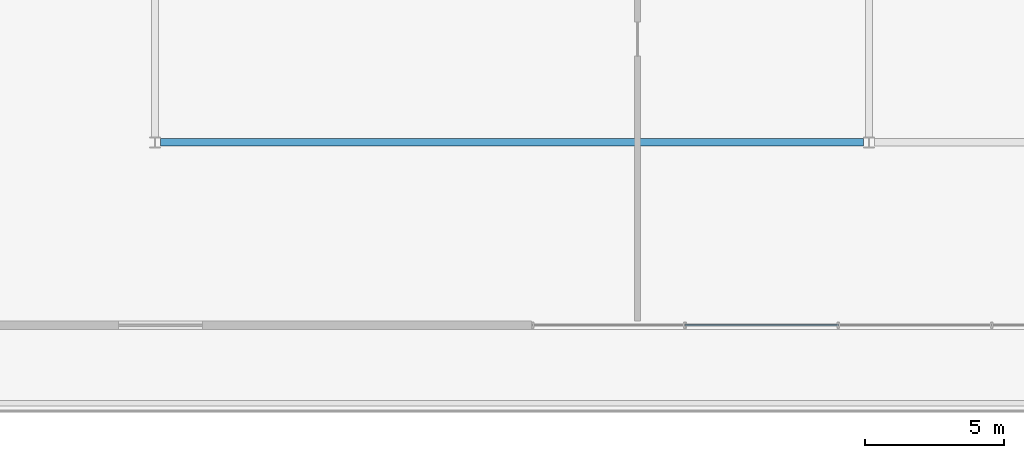
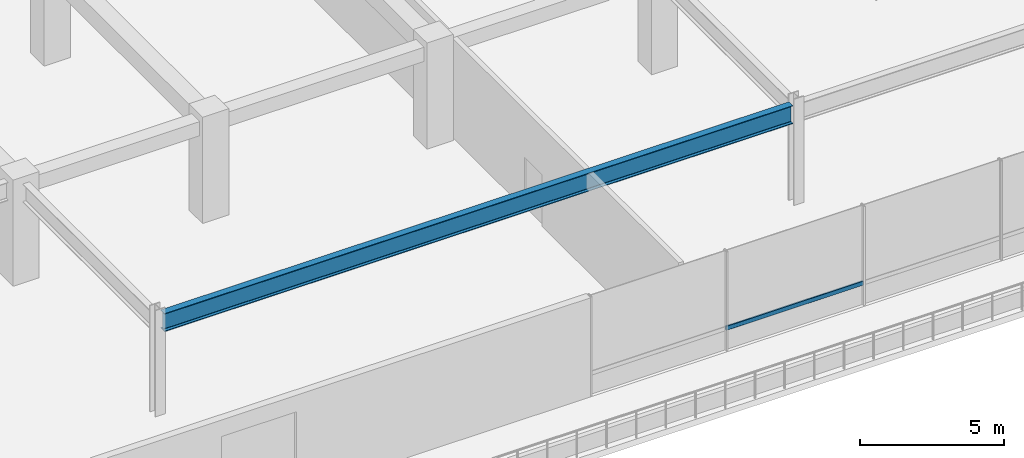
# One storey, part 8 of 43: 1 beam, 1 member, 1 element without a shape of its own.
"""IFC4 building model written with IfcOpenShell, lengths in metres."""

from ifc_helpers import new_model, si_unit, direction, frame, origin, origin_2d, place, context, subcontext, project, spatial, hollow_rectangle, i_section, extrude, material, layer, layer_set, material_profile, profile_set, type_object, element, aggregate, save


model = new_model("IFC4")

# Units and contexts
model_context = context("Model", 3, precision=1e-05, world=origin(), true_north=direction((0.0, 1.0)))
body_context = subcontext(model_context, "Body", "Model", "MODEL_VIEW")
ifc_project = project(units=[si_unit("LENGTHUNIT", "METRE"), si_unit("AREAUNIT", "SQUARE_METRE"), si_unit("VOLUMEUNIT", "CUBIC_METRE"), si_unit("PLANEANGLEUNIT", "RADIAN"), si_unit("MASSUNIT", "GRAM", prefix="KILO")], contexts=[model_context])

# Site, building, storey
site_placement = place(None, origin())
site = spatial("IfcSite", under=ifc_project, at=site_placement, CompositionType="ELEMENT")
building_placement = place(site_placement, origin())
building = spatial("IfcBuilding", under=site, at=building_placement, Name="Korimba Cascade Residences", CompositionType="ELEMENT")
storey_placement = place(building_placement, frame((0.0, 0.0, 10.0)))
storey = spatial("IfcBuildingStorey", under=building, at=storey_placement, Name="L02", CompositionType="ELEMENT", Elevation=10.0)

# Beam
ifc_material_1 = material(Name="Steel S355", Category="steel")
ifc_material_profile_1 = material_profile(ifc_material_1, i_section(OverallWidth=0.26806640625, OverallDepth=0.769775390625, WebThickness=0.015625, FlangeThickness=0.025390625, FilletRadius=0.0166015625, at=origin_2d()), Name="Steel S355")
ifc_profile_set_1 = profile_set([ifc_material_profile_1], Name="Steel S355")
beam_type = type_object("IfcBeamType", Name="BM-STL-UB762", PredefinedType="BEAM", material=ifc_profile_set_1)
beam_placement = place(storey_placement, frame((74.699462890625, -13.800048828125, 3.815185546875), z_axis=(1.0, 0.0, 0.0), x_axis=(0.0, 1.0, 0.0)))
element("IfcBeam", 1, at=beam_placement, inside=storey, type_object=beam_type, Name="L02 Podium Frame Girder SH1", PredefinedType="BEAM", context=body_context, shape_type="SweptSolid", body=[
    extrude(i_section(OverallWidth=0.26806640625, OverallDepth=0.769775390625, WebThickness=0.015625, FlangeThickness=0.025390625, FilletRadius=0.0166015625, at=origin_2d()), origin(), (0.0, 0.0, 1.0), 25.200927734375),
])

# Curtain wall, member
ifc_material_2 = material(Name="Anodised Aluminium Curtain Wall Framing", Category="aluminium")
ifc_layer = layer(ifc_material_2, 0.179931640625)
ifc_layer_set = layer_set([ifc_layer], Name="Anodised Aluminium Curtain Wall Framing")
curtain_wall_type = type_object("IfcCurtainWallType", Name="CW-POD-SYS1", PredefinedType="NOTDEFINED", material=ifc_layer_set)
curtain_wall_placement = place(storey_placement, origin())
curtain_wall = element("IfcCurtainWall", 2, at=curtain_wall_placement, inside=storey, type_object=curtain_wall_type, Name="L02 Curtain Wall CW-L02-POD-S", PredefinedType="NOTDEFINED")
ifc_material_3 = material(Name="Anodised Aluminium Transom", Category="aluminium")
ifc_material_profile_2 = material_profile(ifc_material_3, hollow_rectangle(XDim=0.070068359375, YDim=0.179931640625, WallThickness=0.0048828125, InnerFilletRadius=0.0048828125, OuterFilletRadius=0.010009765625, at=origin_2d()), Name="Anodised Aluminium Transom")
ifc_profile_set_2 = profile_set([ifc_material_profile_2], Name="Anodised Aluminium Transom")
member_type = type_object("IfcMemberType", Name="CWM-TRN-150", PredefinedType="USERDEFINED", material=ifc_profile_set_2)
member_placement = place(storey_placement, frame((93.5, -20.35009765625, 0.89990234375), z_axis=(1.0, 0.0, 0.0), x_axis=(0.0, 1.0, 0.0)))
member = element("IfcMember", 3, at=member_placement, type_object=member_type, Name="CW-L02-POD-S Transom 2", ObjectType="TRANSOM", PredefinedType="USERDEFINED", context=body_context, shape_type="SweptSolid", body=[
    extrude(hollow_rectangle(XDim=0.070068359375, YDim=0.179931640625, WallThickness=0.0048828125, InnerFilletRadius=0.0048828125, OuterFilletRadius=0.010009765625, at=origin_2d()), origin(), (0.0, 0.0, 1.0), 5.5),
])
aggregate(curtain_wall, [member])

save(model, "model.ifc")
